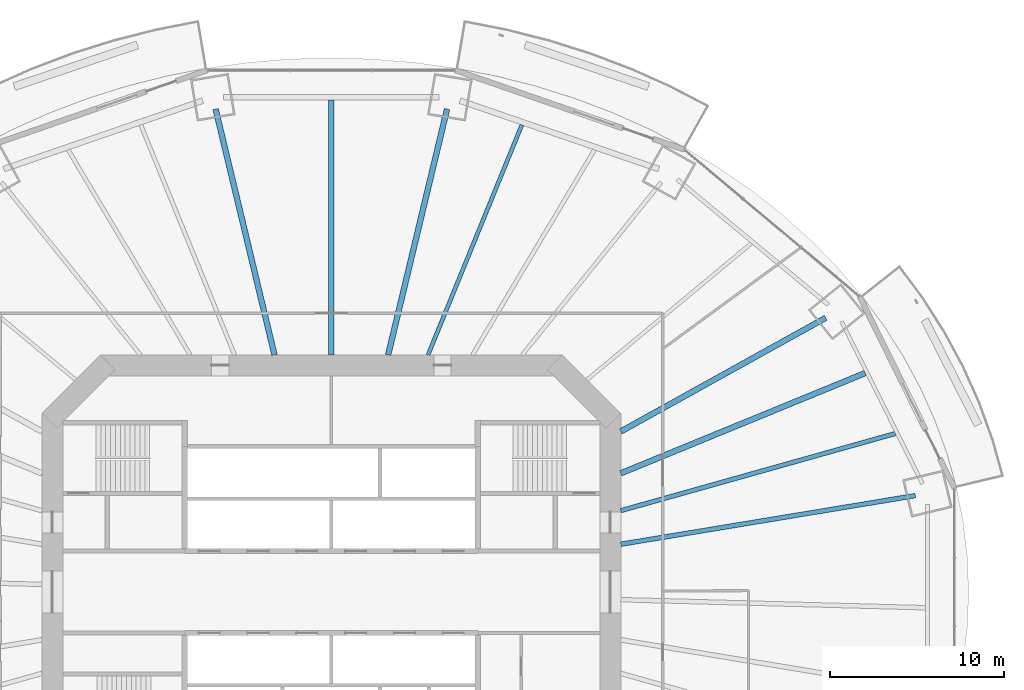
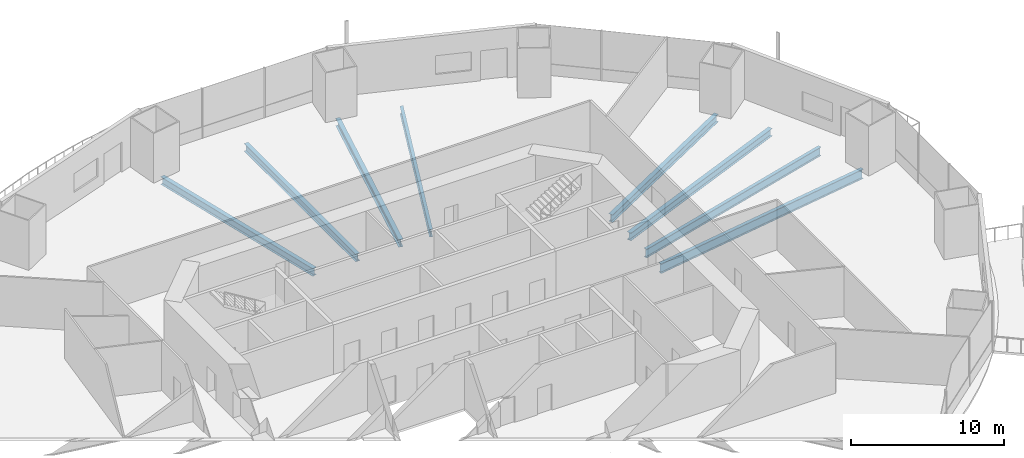
# One storey, part 8 of 23: 8 beams.
"""IFC4 building model written with IfcOpenShell, lengths in metres."""

from ifc_helpers import new_model, si_unit, direction, frame, origin, origin_2d, place, context, subcontext, project, spatial, i_section, extrude, material, material_profile, profile_set, type_object, element, save


model = new_model("IFC4")

# Units and contexts
model_context = context("Model", 3, precision=1e-05, world=origin(), true_north=direction((0.0, 1.0)))
body_context = subcontext(model_context, "Body", "Model", "MODEL_VIEW")
ifc_project = project(units=[si_unit("LENGTHUNIT", "METRE"), si_unit("AREAUNIT", "SQUARE_METRE"), si_unit("VOLUMEUNIT", "CUBIC_METRE"), si_unit("PLANEANGLEUNIT", "RADIAN"), si_unit("MASSUNIT", "GRAM", prefix="KILO")], contexts=[model_context])

# Site, building, storey
site_placement = place(None, origin())
site = spatial("IfcSite", under=ifc_project, at=site_placement, CompositionType="ELEMENT")
building_placement = place(site_placement, origin())
building = spatial("IfcBuilding", under=site, at=building_placement, Name="Marenthal Gate Tower", CompositionType="ELEMENT")
storey_placement = place(building_placement, frame((0.0, 0.0, 49.60009765625)))
storey = spatial("IfcBuildingStorey", under=building, at=storey_placement, Name="L08", CompositionType="ELEMENT", Elevation=49.60009765625)

# Beams
ifc_material_1 = material(Name="Steel S355", Category="steel")
ifc_material_profile_1 = material_profile(ifc_material_1, i_section(OverallWidth=0.22900390625, OverallDepth=0.612060546875, WebThickness=0.011962890625, FlangeThickness=0.01953125, FilletRadius=0.0126953125, at=origin_2d()), Name="W610X125")
ifc_profile_set_1 = profile_set([ifc_material_profile_1], Name="Steel S355")
beam_type_1 = type_object("IfcBeamType", Name="W610X125 beam", PredefinedType="BEAM", material=ifc_profile_set_1)
beam_1_placement = place(storey_placement, frame((10.927490234375, 26.7880859375, -0.486083984375), z_axis=(-0.377703578377, -0.925926566679, 0.0), x_axis=(0.925926566679, -0.377703578377, 0.0)))
element("IfcBeam", 1, at=beam_1_placement, inside=storey, type_object=beam_type_1, Name="BM-L08-21", PredefinedType="BEAM", context=body_context, shape_type="SweptSolid", body=[
    extrude(i_section(OverallWidth=0.22900390625, OverallDepth=0.612060546875, WebThickness=0.011962890625, FlangeThickness=0.01953125, FilletRadius=0.0126953125, at=origin_2d()), origin(), (0.0, 0.0, 1.0), 14.242919921875),
])
ifc_material_2 = material(Name="Steel S355", Category="steel")
ifc_material_profile_2 = material_profile(ifc_material_2, i_section(OverallWidth=0.324951171875, OverallDepth=0.612060546875, WebThickness=0.0126953125, FlangeThickness=0.01904296875, FilletRadius=0.0126953125, at=origin_2d()), Name="W610X155")
ifc_profile_set_2 = profile_set([ifc_material_profile_2], Name="Steel S355")
beam_type_2 = type_object("IfcBeamType", Name="W610X155 beam", PredefinedType="BEAM", material=ifc_profile_set_2)
beam_2_placement = place(storey_placement, frame((28.355712890625, 15.727294921875, -0.486083984375), z_axis=(-0.874492882968, -0.485038346565, 0.0), x_axis=(0.485038346565, -0.874492882968, 0.0)))
element("IfcBeam", 2, at=beam_2_placement, inside=storey, type_object=beam_type_2, Name="BM-L08-02", PredefinedType="BEAM", context=body_context, shape_type="SweptSolid", body=[
    extrude(i_section(OverallWidth=0.324951171875, OverallDepth=0.612060546875, WebThickness=0.0126953125, FlangeThickness=0.01904296875, FilletRadius=0.0126953125, at=origin_2d()), origin(), (0.0, 0.0, 1.0), 13.44287109375),
])
for number, where, z_axis, x_axis, name in (
    (3, (6.63671875, 27.6953125, -0.486083984375), (-0.233035932215, -0.97246812508, 0.0), (0.97246812508, -0.233035932215, 0.0), "BM-L08-04"),
    (4, (-6.63671875, 27.6953125, -0.486083984375), (0.233035932215, -0.97246812508, 0.0), (0.97246812508, 0.233035932215, 0.0), "BM-L08-05"),
):
    element("IfcBeam", number, at=place(storey_placement, frame(where, z_axis=z_axis, x_axis=x_axis)), inside=storey, type_object=beam_type_2, Name=name, PredefinedType="BEAM", context=body_context, shape_type="SweptSolid", body=[
        extrude(i_section(OverallWidth=0.324951171875, OverallDepth=0.612060546875, WebThickness=0.0126953125, FlangeThickness=0.01904296875, FilletRadius=0.0126953125, at=origin_2d()), origin(), (0.0, 0.0, 1.0), 14.494384765625),
    ])
beam_3_placement = place(storey_placement, frame((30.6201171875, 12.55810546875, -0.486083984375), z_axis=(-0.925210391668, -0.379454517894, 0.0), x_axis=(0.379454517894, -0.925210391668, 0.0)))
element("IfcBeam", 5, at=beam_3_placement, inside=storey, type_object=beam_type_2, Name="BM-L08-18", PredefinedType="BEAM", context=body_context, shape_type="SweptSolid", body=[
    extrude(i_section(OverallWidth=0.324951171875, OverallDepth=0.612060546875, WebThickness=0.0126953125, FlangeThickness=0.01904296875, FilletRadius=0.0126953125, at=origin_2d()), origin(), (0.0, 0.0, 1.0), 15.1533203125),
])
beam_4_placement = place(storey_placement, frame((0.0, 28.216552734375, -0.486083984375), z_axis=(0.0, -1.0, 0.0), x_axis=(1.0, 0.0, 0.0)))
element("IfcBeam", 6, at=beam_4_placement, inside=storey, type_object=beam_type_2, Name="BM-L08-22", PredefinedType="BEAM", context=body_context, shape_type="SweptSolid", body=[
    extrude(i_section(OverallWidth=0.324951171875, OverallDepth=0.612060546875, WebThickness=0.0126953125, FlangeThickness=0.01904296875, FilletRadius=0.0126953125, at=origin_2d()), origin(), (0.0, 0.0, 1.0), 14.616455078125),
])
ifc_material_3 = material(Name="Steel S355", Category="steel")
ifc_material_profile_3 = material_profile(ifc_material_3, i_section(OverallWidth=0.257080078125, OverallDepth=0.693115234375, WebThickness=0.014404296875, FlangeThickness=0.023681640625, FilletRadius=0.015380859375, at=origin_2d()), Name="W690X170")
ifc_profile_set_3 = profile_set([ifc_material_profile_3], Name="Steel S355")
beam_type_3 = type_object("IfcBeamType", Name="W690X170 beam", PredefinedType="BEAM", material=ifc_profile_set_3)
beam_5_placement = place(storey_placement, frame((32.349365234375, 9.092529296875, -0.526611328125), z_axis=(-0.962694320478, -0.27059128833, 0.0), x_axis=(0.27059128833, -0.962694320478, 0.0)))
element("IfcBeam", 7, at=beam_5_placement, inside=storey, type_object=beam_type_3, Name="BM-L08-17", PredefinedType="BEAM", context=body_context, shape_type="SweptSolid", body=[
    extrude(i_section(OverallWidth=0.257080078125, OverallDepth=0.693115234375, WebThickness=0.014404296875, FlangeThickness=0.023681640625, FilletRadius=0.015380859375, at=origin_2d()), origin(), (0.0, 0.0, 1.0), 16.359619140625),
])
ifc_material_4 = material(Name="Steel S355", Category="steel")
ifc_material_profile_4 = material_profile(ifc_material_4, i_section(OverallWidth=0.26708984375, OverallDepth=0.761962890625, WebThickness=0.014404296875, FlangeThickness=0.021484375, FilletRadius=0.0166015625, at=origin_2d()), Name="W760X173")
ifc_profile_set_4 = profile_set([ifc_material_profile_4], Name="Steel S355")
beam_type_4 = type_object("IfcBeamType", Name="W760X173 beam", PredefinedType="BEAM", material=ifc_profile_set_4)
beam_6_placement = place(storey_placement, frame((33.494384765625, 5.530517578125, -0.56103515625), z_axis=(-0.986640584699, -0.162912113192, 0.0), x_axis=(0.162912113192, -0.986640584699, 0.0)))
element("IfcBeam", 8, at=beam_6_placement, inside=storey, type_object=beam_type_4, Name="BM-L08-01", PredefinedType="BEAM", context=body_context, shape_type="SweptSolid", body=[
    extrude(i_section(OverallWidth=0.26708984375, OverallDepth=0.761962890625, WebThickness=0.014404296875, FlangeThickness=0.021484375, FilletRadius=0.0166015625, at=origin_2d()), origin(), (0.0, 0.0, 1.0), 17.123046875),
])

save(model, "model.ifc")
